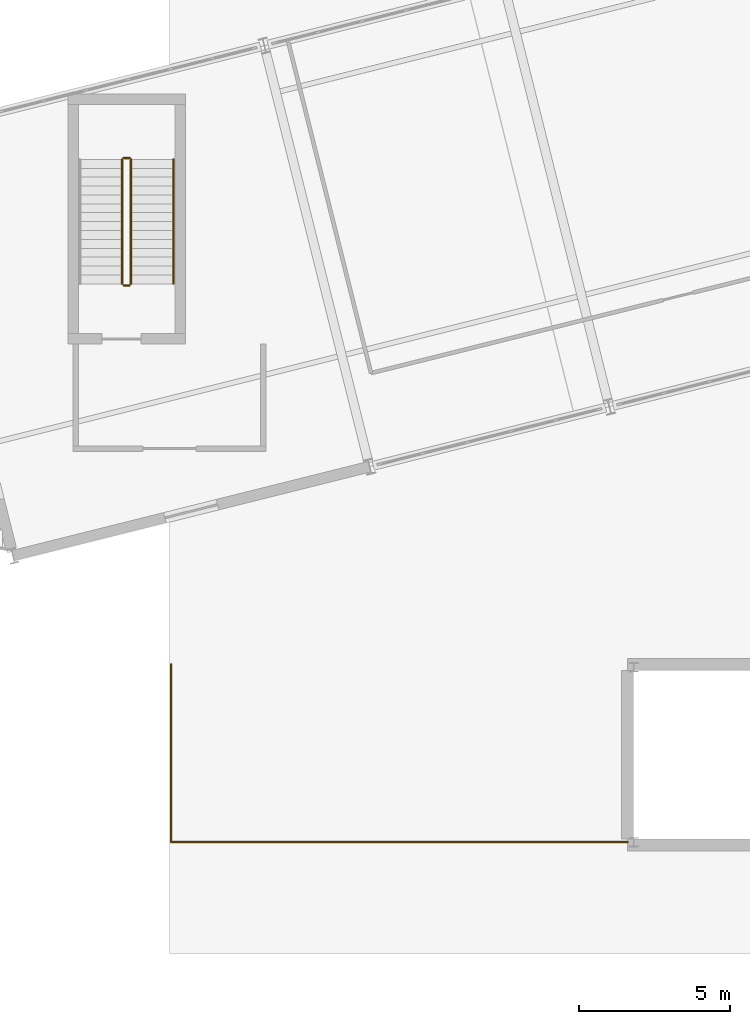
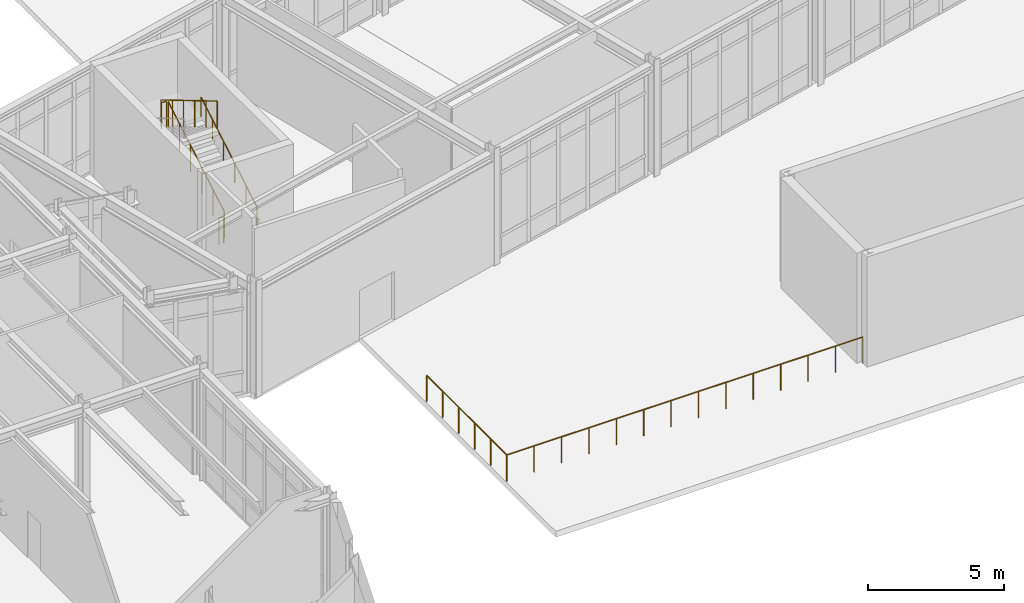
# One storey, part 101 of 109: 7 railings.
"""IFC4 building model written with IfcOpenShell, lengths in metres."""

from ifc_helpers import new_model, si_unit, direction, frame, origin, origin_2d, place, context, subcontext, project, spatial, circle, extrude, material, layer, layer_set, type_object, element, save


model = new_model("IFC4")

# Units and contexts
model_context = context("Model", 3, precision=1e-05, world=origin(), true_north=direction((0.0, 1.0)))
body_context = subcontext(model_context, "Body", "Model", "MODEL_VIEW")
ifc_project = project(units=[si_unit("LENGTHUNIT", "METRE"), si_unit("AREAUNIT", "SQUARE_METRE"), si_unit("VOLUMEUNIT", "CUBIC_METRE"), si_unit("PLANEANGLEUNIT", "RADIAN"), si_unit("MASSUNIT", "GRAM", prefix="KILO")], contexts=[model_context])

# Site, building, storey
site_placement = place(None, origin())
site = spatial("IfcSite", under=ifc_project, at=site_placement, CompositionType="ELEMENT")
building_placement = place(site_placement, origin())
building = spatial("IfcBuilding", under=site, at=building_placement, Name="Nordkorset Police Headquarters", CompositionType="ELEMENT")
storey_placement = place(building_placement, origin())
storey = spatial("IfcBuildingStorey", under=building, at=storey_placement, Name="L00", CompositionType="ELEMENT", Elevation=0.0)

# Railings
ifc_material_1 = material(Name="Steel S355J2", Category="steel")
ifc_layer_1 = layer(ifc_material_1, 0.06005859375, Name="Steel S355J2")
ifc_layer_set_1 = layer_set([ifc_layer_1], Name="Steel S355J2")
railing_type_1 = type_object("IfcRailingType", Name="Guardrail_Terrace_1200", PredefinedType="GUARDRAIL", material=ifc_layer_set_1)
railing_1_placement = place(storey_placement, frame((28.85009765625, 32.5, 0.0)))
element("IfcRailing", 1, at=railing_1_placement, inside=storey, type_object=railing_type_1, Name="Courtyard Deck South Guardrail", PredefinedType="GUARDRAIL", context=body_context, shape_type="SweptSolid", body=[
    extrude(circle(Radius=0.02392578125, at=origin_2d()), frame((0.0, 0.0, 1.17578125), z_axis=(1.0, 0.0, 0.0), x_axis=(0.0, 1.0, 0.0)), (0.0, 0.0, 1.0), 15.14990234375),
    extrude(circle(Radius=0.02099609375, at=origin_2d()), origin(), (0.0, 0.0, 1.0), 1.15185546875),
    extrude(circle(Radius=0.02099609375, at=origin_2d()), frame((1.165283203125, 0.0, 0.0)), (0.0, 0.0, 1.0), 1.15185546875),
    extrude(circle(Radius=0.02099609375, at=origin_2d()), frame((2.330810546875, 0.0, 0.0)), (0.0, 0.0, 1.0), 1.15185546875),
    extrude(circle(Radius=0.02099609375, at=origin_2d()), frame((3.49609375, 0.0, 0.0)), (0.0, 0.0, 1.0), 1.15185546875),
    extrude(circle(Radius=0.02099609375, at=origin_2d()), frame((4.66162109375, 0.0, 0.0)), (0.0, 0.0, 1.0), 1.15185546875),
    extrude(circle(Radius=0.02099609375, at=origin_2d()), frame((5.826904296875, 0.0, 0.0)), (0.0, 0.0, 1.0), 1.15185546875),
    extrude(circle(Radius=0.02099609375, at=origin_2d()), frame((6.9921875, 0.0, 0.0)), (0.0, 0.0, 1.0), 1.15185546875),
    extrude(circle(Radius=0.02099609375, at=origin_2d()), frame((8.15771484375, 0.0, 0.0)), (0.0, 0.0, 1.0), 1.15185546875),
    extrude(circle(Radius=0.02099609375, at=origin_2d()), frame((9.322998046875, 0.0, 0.0)), (0.0, 0.0, 1.0), 1.15185546875),
    extrude(circle(Radius=0.02099609375, at=origin_2d()), frame((10.48828125, 0.0, 0.0)), (0.0, 0.0, 1.0), 1.15185546875),
    extrude(circle(Radius=0.02099609375, at=origin_2d()), frame((11.65380859375, 0.0, 0.0)), (0.0, 0.0, 1.0), 1.15185546875),
    extrude(circle(Radius=0.02099609375, at=origin_2d()), frame((12.819091796875, 0.0, 0.0)), (0.0, 0.0, 1.0), 1.15185546875),
    extrude(circle(Radius=0.02099609375, at=origin_2d()), frame((13.984619140625, 0.0, 0.0)), (0.0, 0.0, 1.0), 1.15185546875),
    extrude(circle(Radius=0.02099609375, at=origin_2d()), frame((15.14990234375, 0.0, 0.0)), (0.0, 0.0, 1.0), 1.15185546875),
])
railing_2_placement = place(storey_placement, frame((28.85009765625, 32.5, 0.0)))
element("IfcRailing", 2, at=railing_2_placement, inside=storey, type_object=railing_type_1, Name="Courtyard Deck West Guardrail", PredefinedType="GUARDRAIL", context=body_context, shape_type="SweptSolid", body=[
    extrude(circle(Radius=0.02392578125, at=origin_2d()), frame((0.0, 0.0, 1.17578125), z_axis=(0.0, 1.0, 0.0), x_axis=(-1.0, 0.0, 0.0)), (0.0, 0.0, 1.0), 5.89990234375),
    extrude(circle(Radius=0.02099609375, at=origin_2d()), origin(), (0.0, 0.0, 1.0), 1.15185546875),
    extrude(circle(Radius=0.02099609375, at=origin_2d()), frame((0.0, 1.179931640625, 0.0)), (0.0, 0.0, 1.0), 1.15185546875),
    extrude(circle(Radius=0.02099609375, at=origin_2d()), frame((0.0, 2.35986328125, 0.0)), (0.0, 0.0, 1.0), 1.15185546875),
    extrude(circle(Radius=0.02099609375, at=origin_2d()), frame((0.0, 3.5400390625, 0.0)), (0.0, 0.0, 1.0), 1.15185546875),
    extrude(circle(Radius=0.02099609375, at=origin_2d()), frame((0.0, 4.719970703125, 0.0)), (0.0, 0.0, 1.0), 1.15185546875),
    extrude(circle(Radius=0.02099609375, at=origin_2d()), frame((0.0, 5.89990234375, 0.0)), (0.0, 0.0, 1.0), 1.15185546875),
])
ifc_material_2 = material(Name="Steel S355J2", Category="steel")
ifc_layer_2 = layer(ifc_material_2, 0.048095703125, Name="Steel S355J2")
ifc_layer_set_2 = layer_set([ifc_layer_2], Name="Steel S355J2")
railing_type_2 = type_object("IfcRailingType", Name="Railing_Handrail_900", PredefinedType="HANDRAIL", material=ifc_layer_set_2)
railing_3_placement = place(storey_placement, frame((28.925048828125, 51.02490234375, 0.175048828125)))
element("IfcRailing", 3, at=railing_3_placement, inside=storey, type_object=railing_type_2, Name="L00 ST-08 stair handrail 1", PredefinedType="HANDRAIL", context=body_context, shape_type="SweptSolid", body=[
    extrude(circle(Radius=0.02392578125, at=origin_2d()), frame((0.0, 0.0, 0.8759765625), z_axis=(0.0, 0.860065997128, 0.510182791345), x_axis=(-1.0, 0.0, 0.0)), (0.0, 0.0, 1.0), 4.802001953125),
    extrude(circle(Radius=0.02099609375, at=origin_2d()), origin(), (0.0, 0.0, 1.0), 0.851806640625),
    extrude(circle(Radius=0.02099609375, at=origin_2d()), frame((0.0, 0.825927734375, 0.489990234375)), (0.0, 0.0, 1.0), 0.851806640625),
    extrude(circle(Radius=0.02099609375, at=origin_2d()), frame((0.0, 1.652099609375, 0.97998046875)), (0.0, 0.0, 1.0), 0.851806640625),
    extrude(circle(Radius=0.02099609375, at=origin_2d()), frame((0.0, 2.47802734375, 1.469970703125)), (0.0, 0.0, 1.0), 0.851806640625),
    extrude(circle(Radius=0.02099609375, at=origin_2d()), frame((0.0, 3.30419921875, 1.9599609375)), (0.0, 0.0, 1.0), 0.851806640625),
    extrude(circle(Radius=0.02099609375, at=origin_2d()), frame((0.0, 4.130126953125, 2.449951171875)), (0.0, 0.0, 1.0), 0.851806640625),
])
ifc_material_3 = material(Name="Steel S355J2", Category="steel")
ifc_layer_3 = layer(ifc_material_3, 0.050048828125, Name="Steel S355J2")
ifc_layer_set_3 = layer_set([ifc_layer_3], Name="Steel S355J2")
railing_type_3 = type_object("IfcRailingType", Name="Railing_StairGuard_1200", PredefinedType="GUARDRAIL", material=ifc_layer_set_3)
railing_4_placement = place(storey_placement, frame((27.52490234375, 51.02490234375, 0.175048828125)))
element("IfcRailing", 4, at=railing_4_placement, inside=storey, type_object=railing_type_3, Name="L00 ST-08 stair guard 1", PredefinedType="GUARDRAIL", context=body_context, shape_type="SweptSolid", body=[
    extrude(circle(Radius=0.02392578125, at=origin_2d()), frame((0.0, 0.0, 1.17578125), z_axis=(0.0, 0.860065997128, 0.510182791345), x_axis=(-1.0, 0.0, 0.0)), (0.0, 0.0, 1.0), 4.802001953125),
    extrude(circle(Radius=0.02099609375, at=origin_2d()), origin(), (0.0, 0.0, 1.0), 1.15185546875),
    extrude(circle(Radius=0.02099609375, at=origin_2d()), frame((0.0, 0.825927734375, 0.489990234375)), (0.0, 0.0, 1.0), 1.15185546875),
    extrude(circle(Radius=0.02099609375, at=origin_2d()), frame((0.0, 1.652099609375, 0.97998046875)), (0.0, 0.0, 1.0), 1.15185546875),
    extrude(circle(Radius=0.02099609375, at=origin_2d()), frame((0.0, 2.47802734375, 1.469970703125)), (0.0, 0.0, 1.0), 1.15185546875),
    extrude(circle(Radius=0.02099609375, at=origin_2d()), frame((0.0, 3.30419921875, 1.9599609375)), (0.0, 0.0, 1.0), 1.15185546875),
    extrude(circle(Radius=0.02099609375, at=origin_2d()), frame((0.0, 4.130126953125, 2.449951171875)), (0.0, 0.0, 1.0), 1.15185546875),
])
railing_5_placement = place(storey_placement, frame((27.47509765625, 55.205078125, 2.625)))
element("IfcRailing", 5, at=railing_5_placement, inside=storey, type_object=railing_type_3, Name="L00 ST-08 stair guard 2", PredefinedType="GUARDRAIL", context=body_context, shape_type="SweptSolid", body=[
    extrude(circle(Radius=0.02392578125, at=origin_2d()), frame((0.0, 0.0, 1.17578125), z_axis=(-1.0, 0.0, 0.0), x_axis=(0.0, -1.0, 0.0)), (0.0, 0.0, 1.0), 0.2001953125),
    extrude(circle(Radius=0.02099609375, at=origin_2d()), origin(), (0.0, 0.0, 1.0), 1.15185546875),
    extrude(circle(Radius=0.02099609375, at=origin_2d()), frame((-0.2001953125, 0.0, 0.0)), (0.0, 0.0, 1.0), 1.15185546875),
])
railing_6_placement = place(storey_placement, frame((27.22509765625, 55.155029296875, 2.800048828125)))
element("IfcRailing", 6, at=railing_6_placement, inside=storey, type_object=railing_type_3, Name="L00 ST-08 stair guard 3", PredefinedType="GUARDRAIL", context=body_context, shape_type="SweptSolid", body=[
    extrude(circle(Radius=0.02392578125, at=origin_2d()), frame((0.0, 0.0, 1.17578125), z_axis=(0.0, -0.860065997128, 0.510182791345), x_axis=(1.0, 0.0, 0.0)), (0.0, 0.0, 1.0), 4.802001953125),
    extrude(circle(Radius=0.02099609375, at=origin_2d()), origin(), (0.0, 0.0, 1.0), 1.15185546875),
    extrude(circle(Radius=0.02099609375, at=origin_2d()), frame((0.0, -0.825927734375, 0.489990234375)), (0.0, 0.0, 1.0), 1.15185546875),
    extrude(circle(Radius=0.02099609375, at=origin_2d()), frame((0.0, -1.652099609375, 0.97998046875)), (0.0, 0.0, 1.0), 1.15185546875),
    extrude(circle(Radius=0.02099609375, at=origin_2d()), frame((0.0, -2.47802734375, 1.469970703125)), (0.0, 0.0, 1.0), 1.15185546875),
    extrude(circle(Radius=0.02099609375, at=origin_2d()), frame((0.0, -3.30419921875, 1.9599609375)), (0.0, 0.0, 1.0), 1.15185546875),
    extrude(circle(Radius=0.02099609375, at=origin_2d()), frame((0.0, -4.130126953125, 2.449951171875)), (0.0, 0.0, 1.0), 1.15185546875),
])
railing_7_placement = place(storey_placement, frame((27.47509765625, 50.97509765625, 0.0)))
element("IfcRailing", 7, at=railing_7_placement, inside=storey, type_object=railing_type_3, Name="L00 ST-08 stair guard 4", PredefinedType="GUARDRAIL", context=body_context, shape_type="SweptSolid", body=[
    extrude(circle(Radius=0.02392578125, at=origin_2d()), frame((0.0, 0.0, 1.17578125), z_axis=(-1.0, 0.0, 0.0), x_axis=(0.0, -1.0, 0.0)), (0.0, 0.0, 1.0), 0.2001953125),
    extrude(circle(Radius=0.02099609375, at=origin_2d()), origin(), (0.0, 0.0, 1.0), 1.15185546875),
    extrude(circle(Radius=0.02099609375, at=origin_2d()), frame((-0.2001953125, 0.0, 0.0)), (0.0, 0.0, 1.0), 1.15185546875),
])

save(model, "model.ifc")
